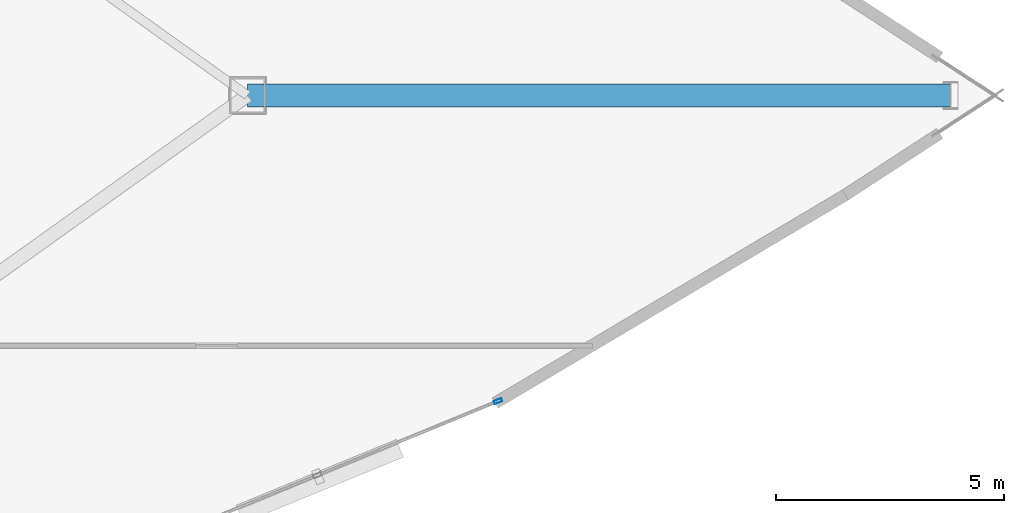
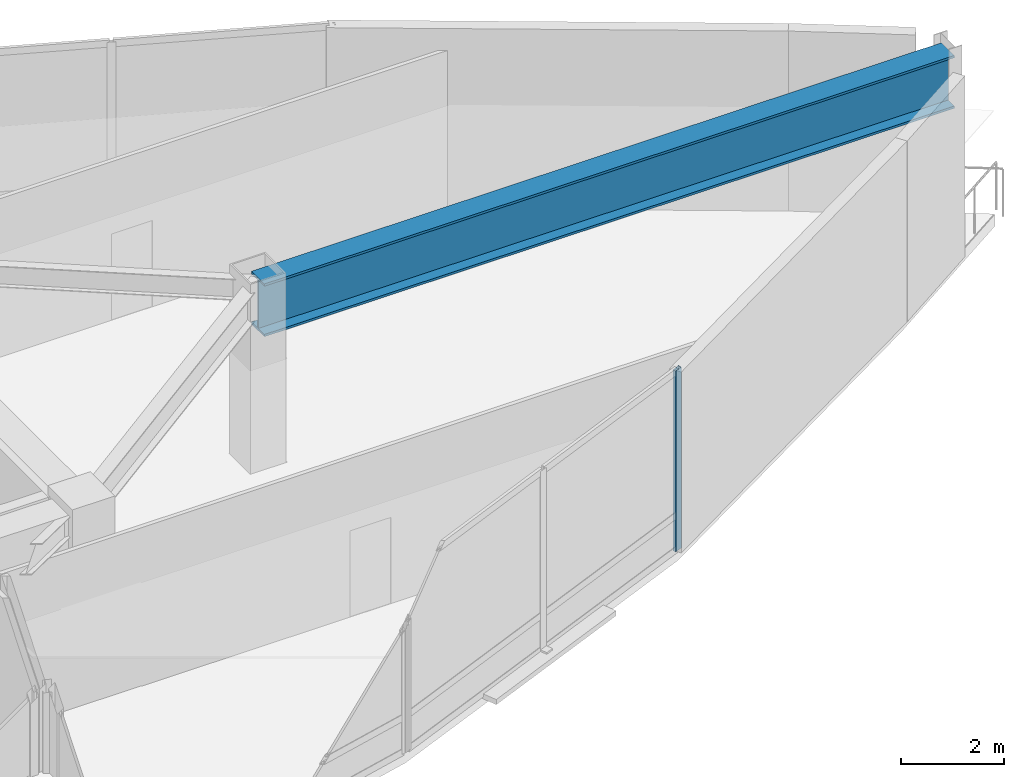
# One storey, part 11 of 17: 1 beam, 1 member, 1 element without a shape of its own.
"""IFC4 building model written with IfcOpenShell, lengths in metres."""

from ifc_helpers import new_model, si_unit, direction, frame, origin, origin_2d, place, context, subcontext, project, spatial, hollow_rectangle, i_section, extrude, material, layer, layer_set, material_profile, profile_set, type_object, element, aggregate, save


model = new_model("IFC4")

# Units and contexts
model_context = context("Model", 3, precision=1e-05, world=origin(), true_north=direction((0.0, 1.0)))
body_context = subcontext(model_context, "Body", "Model", "MODEL_VIEW")
ifc_project = project(units=[si_unit("LENGTHUNIT", "METRE"), si_unit("AREAUNIT", "SQUARE_METRE"), si_unit("VOLUMEUNIT", "CUBIC_METRE"), si_unit("PLANEANGLEUNIT", "RADIAN"), si_unit("MASSUNIT", "GRAM", prefix="KILO")], contexts=[model_context])

# Site, building, storey
site_placement = place(None, origin())
site = spatial("IfcSite", under=ifc_project, at=site_placement, CompositionType="ELEMENT")
building_placement = place(site_placement, origin())
building = spatial("IfcBuilding", under=site, at=building_placement, Name="Menara Vayukalpa", CompositionType="ELEMENT")
storey_placement = place(building_placement, frame((0.0, 0.0, 242.639892578125)))
storey = spatial("IfcBuildingStorey", under=building, at=storey_placement, Name="L61", CompositionType="ELEMENT", Elevation=242.639892578125)

# Beam
ifc_material_1 = material(Name="Steel S460", Category="steel")
ifc_material_profile_1 = material_profile(ifc_material_1, i_section(OverallWidth=0.5, OverallDepth=1.25, WebThickness=0.028076171875, FlangeThickness=0.054931640625, at=origin_2d()), Name="WG 1250x500x28x55")
ifc_profile_set_1 = profile_set([ifc_material_profile_1], Name="Steel S460")
beam_type = type_object("IfcBeamType", Name="BM-TG2", PredefinedType="BEAM", material=ifc_profile_set_1)
beam_placement = place(storey_placement, frame((40.121826171875, 22.0, 3.655029296875), z_axis=(1.0, 0.0, 0.0), x_axis=(0.0, 1.0, 0.0)))
element("IfcBeam", 1, at=beam_placement, inside=storey, type_object=beam_type, Name="L61 SB5 Sky Bar Vierendeel Girder 01", PredefinedType="BEAM", context=body_context, shape_type="SweptSolid", body=[
    extrude(i_section(OverallWidth=0.5, OverallDepth=1.25, WebThickness=0.028076171875, FlangeThickness=0.054931640625, at=origin_2d()), origin(), (0.0, 0.0, 1.0), 15.44287109375),
])

# Curtain wall, member
ifc_material_2 = material(Name="Anodised Terracotta Aluminium Alloy 6063-T6", Category="masonry")
ifc_layer = layer(ifc_material_2, 0.179931640625)
ifc_layer_set = layer_set([ifc_layer], Name="Anodised Terracotta Aluminium Alloy 6063-T6")
curtain_wall_type = type_object("IfcCurtainWallType", Name="CW-CW4", PredefinedType="USERDEFINED", material=ifc_layer_set)
curtain_wall_placement = place(storey_placement, origin())
curtain_wall = element("IfcCurtainWall", 2, at=curtain_wall_placement, inside=storey, type_object=curtain_wall_type, Name="L61 Sky Bar Cantilever Glazed Curtain Wall CW4 17", ObjectType="UNITISED", PredefinedType="USERDEFINED")
ifc_material_3 = material(Name="Anodised Terracotta Aluminium Alloy 6063-T6", Category="masonry")
ifc_material_profile_2 = material_profile(ifc_material_3, hollow_rectangle(XDim=0.074951171875, YDim=0.179931640625, WallThickness=0.00390625, at=origin_2d()), Name="ALU 75x180x4")
ifc_profile_set_2 = profile_set([ifc_material_profile_2], Name="Anodised Terracotta Aluminium Alloy 6063-T6")
member_type = type_object("IfcMemberType", Name="CWM-CW4", PredefinedType="MULLION", material=ifc_profile_set_2)
member_placement = place(storey_placement, frame((45.625732421875, 15.282470703125, 0.0), z_axis=(0.0, 0.0, 1.0), x_axis=(-0.380039448491, 0.924970279301, 0.0)))
member = element("IfcMember", 3, at=member_placement, type_object=member_type, Name="CW4 mullion 3", PredefinedType="MULLION", context=body_context, shape_type="SweptSolid", body=[
    extrude(hollow_rectangle(XDim=0.074951171875, YDim=0.179931640625, WallThickness=0.00390625, at=origin_2d()), origin(), (0.0, 0.0, 1.0), 4.280029296875),
])
aggregate(curtain_wall, [member])

save(model, "model.ifc")
